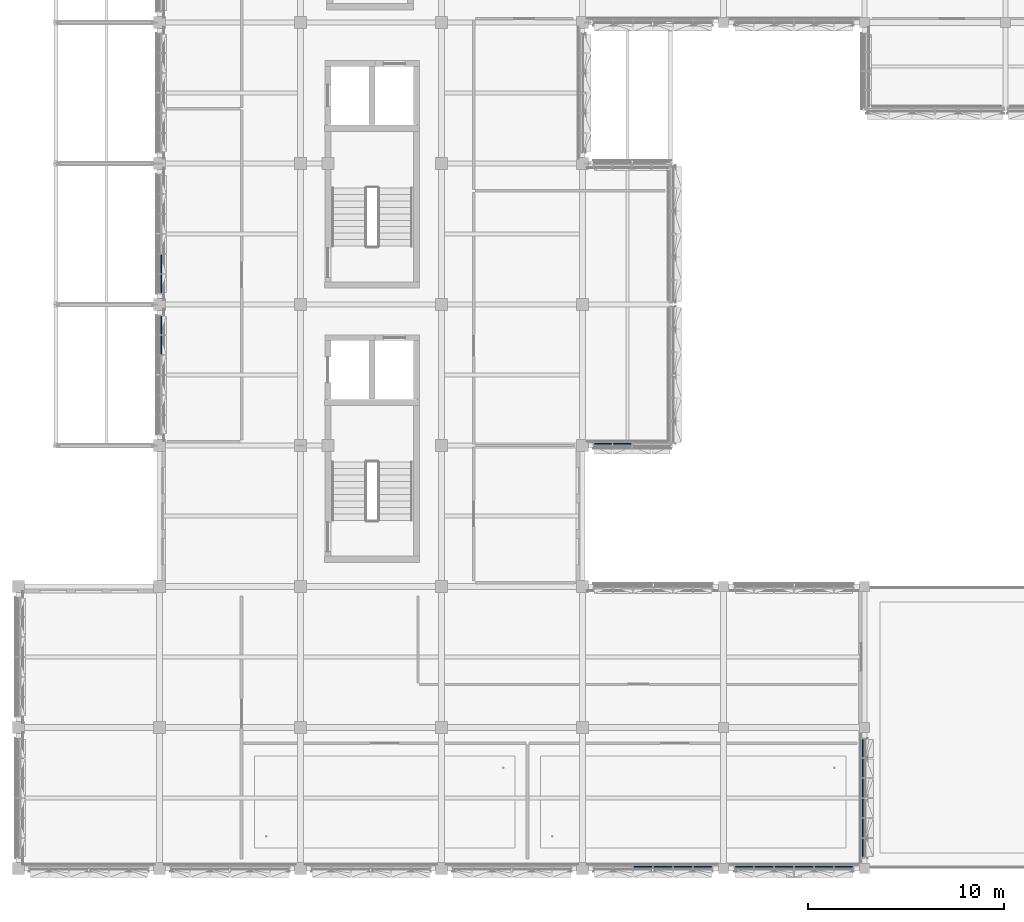
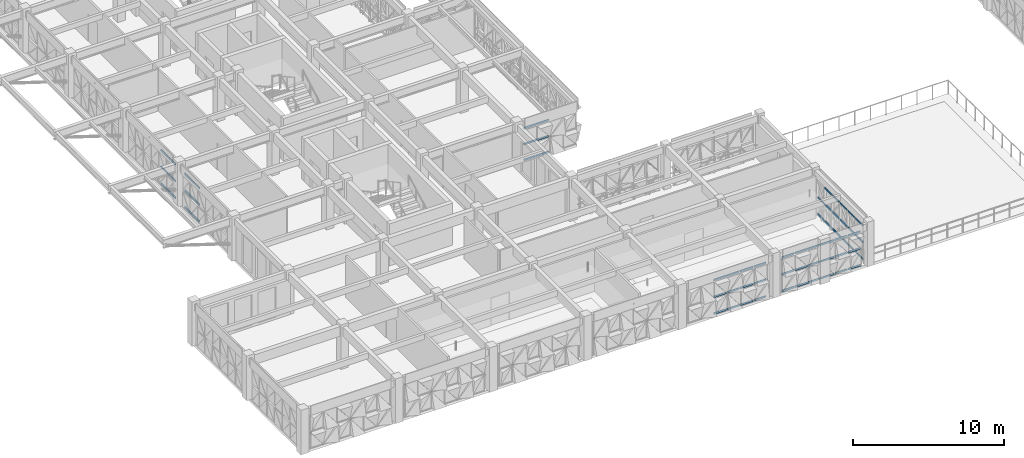
# One storey, part 20 of 99: 65 members, 6 elements without a shape of their own.
"""IFC4 building model written with IfcOpenShell, lengths in metres."""

import ifcopenshell
import ifcopenshell.guid

model = None  # the IFC model being written
_history = None  # IfcOwnerHistory: only IFC2X3 demands one
_inside = {}  # id of a spatial element -> (the spatial element, [elements in it])
_under = {}  # id of a project, library or spatial element -> (it, [spatial elements below it])
_declared = {}  # id of a project -> (the project, [libraries it declares])
_typed = {}  # id of a type object -> (the type object, [elements of that type])
_made_of = {}  # id of a material, layer set ... -> (it, [elements and type objects made of it])


def new_model(schema):
    """Start an empty IFC model of exactly this schema.

    Asked for "IFC4X3", IfcOpenShell would pick the latest addendum, in which some entities
    have other attributes; the version numbers below select the first issue.
    IFC2X3 requires an IfcOwnerHistory on every rooted entity: one is made here for all.
    """
    global model, _history
    if schema == "IFC4X3":
        model = ifcopenshell.file(schema_version=(4, 3, 0, 0))
    else:
        model = ifcopenshell.file(schema=schema)
    _inside.clear()
    _under.clear()
    _declared.clear()
    _typed.clear()
    _made_of.clear()
    _history = None
    if model.schema == "IFC2X3":
        org = make("IfcOrganization", Name="unknown")
        user = make(
            "IfcPersonAndOrganization",
            ThePerson=make("IfcPerson", FamilyName="unknown"),
            TheOrganization=org,
        )
        app = make(
            "IfcApplication",
            ApplicationDeveloper=org,
            Version="unknown",
            ApplicationFullName="unknown",
            ApplicationIdentifier="unknown",
        )
        _history = make(
            "IfcOwnerHistory",
            OwningUser=user,
            OwningApplication=app,
            ChangeAction="ADDED",
            CreationDate=0,
        )
    return model


def make(cls, **values):
    """One entity of the class cls with the attributes given. An attribute that is None is left unset."""
    return model.create_entity(
        cls, **{name: value for name, value in values.items() if value is not None}
    )


def rooted(cls, **values):
    """An entity with a GlobalId (a new one), such as an element, a storey or a relation."""
    return make(cls, GlobalId=ifcopenshell.guid.new(), OwnerHistory=_history, **values)


def si_unit(unit_type, name, prefix=None):
    """IfcSIUnit, for example si_unit("LENGTHUNIT", "METRE", prefix="MILLI")."""
    return make("IfcSIUnit", UnitType=unit_type, Prefix=prefix, Name=name)


def assignment(units):
    """IfcUnitAssignment: the units of a project."""
    return None if units is None else make("IfcUnitAssignment", Units=units)


def point(xyz):
    """IfcCartesianPoint."""
    return None if xyz is None else make("IfcCartesianPoint", Coordinates=xyz)


def direction(xyz):
    """IfcDirection."""
    return None if xyz is None else make("IfcDirection", DirectionRatios=xyz)


def frame(location, z_axis=None, x_axis=None):
    """IfcAxis2Placement3D, a coordinate frame: its origin and axes. An axis left out is left unset."""
    return make(
        "IfcAxis2Placement3D",
        Location=point(location),
        Axis=direction(z_axis),
        RefDirection=direction(x_axis),
    )


def frame_2d(location, x_axis=None):
    """IfcAxis2Placement2D, a coordinate frame in the plane: its origin and x axis."""
    return make(
        "IfcAxis2Placement2D", Location=point(location), RefDirection=direction(x_axis)
    )


def origin():
    """The frame at (0, 0, 0) with its axes left unset."""
    return frame((0.0, 0.0, 0.0))


def origin_2d():
    """The frame at (0, 0) in the plane with its x axis left unset."""
    return frame_2d((0.0, 0.0))


def place(relative_to, where):
    """IfcLocalPlacement: puts the frame where relative to a parent placement (None: the world)."""
    return make(
        "IfcLocalPlacement", PlacementRelTo=relative_to, RelativePlacement=where
    )


def context(
    kind, dimensions, precision=None, world=None, true_north=None, identifier=None
):
    """IfcGeometricRepresentationContext, for example the 3D "Model" context."""
    return make(
        "IfcGeometricRepresentationContext",
        ContextIdentifier=identifier,
        ContextType=kind,
        CoordinateSpaceDimension=dimensions,
        Precision=precision,
        WorldCoordinateSystem=world,
        TrueNorth=true_north,
    )


def subcontext(parent, identifier, kind, view, scale=None):
    """IfcGeometricRepresentationSubContext, for example "Body" below "Model"."""
    return make(
        "IfcGeometricRepresentationSubContext",
        ContextIdentifier=identifier,
        ContextType=kind,
        ParentContext=parent,
        TargetScale=scale,
        TargetView=view,
    )


def project(units=None, contexts=None):
    """IfcProject with its units and contexts."""
    return rooted(
        "IfcProject",
        Name="project",
        RepresentationContexts=contexts,
        UnitsInContext=assignment(units),
    )


def spatial(cls, under=None, at=None, **own):
    """A site, building, storey or space (cls), placed at a placement, below another one or the project."""
    s = rooted(cls, ObjectPlacement=at, **own)
    if under is not None:
        _under.setdefault(under.id(), (under, []))[1].append(s)
    return s


def profile(cls, at=None, kind="AREA", **sizes):
    """A parametric profile (cls). Its sizes go by their IFC names, for example OverallWidth=200.0."""
    return make(cls, ProfileType=kind, Position=at, **sizes)


def rectangle(**sizes):
    """IfcRectangleProfileDef."""
    return profile("IfcRectangleProfileDef", **sizes)


def extrude(swept, where, along, depth):
    """IfcExtrudedAreaSolid: the profile swept, set in the frame where, extruded along a direction by depth."""
    return make(
        "IfcExtrudedAreaSolid",
        SweptArea=swept,
        Position=where,
        ExtrudedDirection=direction(along),
        Depth=depth,
    )


def shape(context_of_items, identifier, shape_type, items):
    """IfcShapeRepresentation: the items that make up one representation, for example the "Body"."""
    return make(
        "IfcShapeRepresentation",
        ContextOfItems=context_of_items,
        RepresentationIdentifier=identifier,
        RepresentationType=shape_type,
        Items=items,
    )


def material(Name=None, Category=None):
    """IfcMaterial."""
    return make("IfcMaterial", Name=Name, Category=Category)


def material_profile(
    of_material, cross_section, Name=None, Category=None, Priority=None
):
    """IfcMaterialProfile: a cross section and its material."""
    return make(
        "IfcMaterialProfile",
        Name=Name,
        Material=of_material,
        Profile=cross_section,
        Priority=Priority,
        Category=Category,
    )


def profile_set(profiles, Name=None, composite=None):
    """IfcMaterialProfileSet."""
    return make(
        "IfcMaterialProfileSet",
        Name=Name,
        MaterialProfiles=profiles,
        CompositeProfile=composite,
    )


def made_of(thing, what):
    """Note that an element or type object is made of a material, layer set ...; save() writes the relation."""
    if what is not None:
        _made_of.setdefault(what.id(), (what, []))[1].append(thing)
    return thing


def type_object(cls, material=None, **own):
    """A type object (cls), such as IfcWallType, which elements share."""
    return made_of(rooted(cls, **own), material)


def element(
    cls,
    number,
    at=None,
    inside=None,
    cuts=None,
    type_object=None,
    material=None,
    context=None,
    identifier="Body",
    shape_type=None,
    held_by="IfcProductDefinitionShape",
    body=None,
    shapes=None,
    **own,
):
    """One element of the class cls, such as IfcWall. Its Tag is "e" and its number.

    at: its placement. inside: the storey or other place that contains it. cuts: it is an
    opening in that element (IfcRelVoidsElement). A single representation is given by context,
    identifier, shape_type and body (its items); several are given by shapes. held_by: the class
    of the entity that holds the representations. save() writes the other relations.
    """
    e = rooted(cls, Tag="e%d" % number, ObjectPlacement=at, **own)
    if body is not None:
        shapes = [shape(context, identifier, shape_type, body)]
    if shapes is not None:
        e.Representation = make(held_by, Representations=shapes)
    if inside is not None:
        _inside.setdefault(inside.id(), (inside, []))[1].append(e)
    if cuts is not None:
        rooted(
            "IfcRelVoidsElement", RelatingBuildingElement=cuts, RelatedOpeningElement=e
        )
    if type_object is not None:
        _typed.setdefault(type_object.id(), (type_object, []))[1].append(e)
    return made_of(e, material)


def aggregate(whole, parts):
    """IfcRelAggregates: a whole, such as a stair, and the parts it consists of."""
    return rooted("IfcRelAggregates", RelatingObject=whole, RelatedObjects=parts)


def save(model, path):
    """Write the relations noted so far, then the file.

    IfcRelAggregates (storeys below a building ...), IfcRelContainedInSpatialStructure (elements
    in a storey), IfcRelDefinesByType, IfcRelAssociatesMaterial and IfcRelDeclares: one each for
    every whole, place, type object, material and project.
    """
    for whole, parts in _under.values():
        aggregate(whole, parts)
    for where, things in _inside.values():
        rooted(
            "IfcRelContainedInSpatialStructure",
            RelatedElements=things,
            RelatingStructure=where,
        )
    for kind, things in _typed.values():
        rooted("IfcRelDefinesByType", RelatedObjects=things, RelatingType=kind)
    for what, things in _made_of.values():
        rooted("IfcRelAssociatesMaterial", RelatedObjects=things, RelatingMaterial=what)
    for by, libraries in _declared.values():
        rooted("IfcRelDeclares", RelatingContext=by, RelatedDefinitions=libraries)
    model.write(path)


model = new_model("IFC4")

# Units and contexts
model_context = context("Model", 3, precision=1e-05, world=origin(), true_north=direction((0.0, 1.0)))
body_context = subcontext(model_context, "Body", "Model", "MODEL_VIEW")
ifc_project = project(units=[si_unit("LENGTHUNIT", "METRE"), si_unit("AREAUNIT", "SQUARE_METRE"), si_unit("VOLUMEUNIT", "CUBIC_METRE"), si_unit("PLANEANGLEUNIT", "RADIAN"), si_unit("MASSUNIT", "GRAM", prefix="KILO")], contexts=[model_context])

# Site, building, storey
site_placement = place(None, origin())
site = spatial("IfcSite", under=ifc_project, at=site_placement, CompositionType="ELEMENT")
building_placement = place(site_placement, origin())
building = spatial("IfcBuilding", under=site, at=building_placement, Name="Alvorim Cloister Faculty of Sciences", CompositionType="ELEMENT")
storey_placement = place(building_placement, frame((0.0, 0.0, 12.14990234375)))
storey = spatial("IfcBuildingStorey", under=building, at=storey_placement, Name="L03", CompositionType="ELEMENT", Elevation=12.14990234375)

# Curtain wall, members
ifc_material_1 = material(Name="Aluminium and Low-E Glass Curtain Wall", Category="aluminium")
curtain_wall_type_1 = type_object("IfcCurtainWallType", Name="CW-TRI-6120x2850", PredefinedType="USERDEFINED", material=ifc_material_1)
curtain_wall_1_placement = place(storey_placement, origin())
curtain_wall_1 = element("IfcCurtainWall", 1, at=curtain_wall_1_placement, inside=storey, type_object=curtain_wall_type_1, Name="L03 Diagonal Cassette Curtain Wall CW-0100", ObjectType="UNITISED CURTAIN WALL", PredefinedType="USERDEFINED")
ifc_material_2 = material(Name="Aluminium Alloy 6063-T6", Category="aluminium")
ifc_material_profile = material_profile(ifc_material_2, rectangle(XDim=0.06494140625, YDim=0.139892578125, at=origin_2d()), Name="ALU-TRN-65x140")
ifc_profile_set = profile_set([ifc_material_profile], Name="Aluminium Alloy 6063-T6")
member_type = type_object("IfcMemberType", Name="CW-TRN-65x140", PredefinedType="USERDEFINED", material=ifc_profile_set)
member_1_placement = place(storey_placement, frame((7.2900390625, 26.25244140625, 0.070068359375), z_axis=(0.0, 1.0, 0.0), x_axis=(-1.0, 0.0, 0.0)))
member_1 = element("IfcMember", 2, at=member_1_placement, type_object=member_type, Name="CW-0100 Transom 5.1", ObjectType="TRANSOM", PredefinedType="USERDEFINED", context=body_context, shape_type="SweptSolid", body=[
    extrude(rectangle(XDim=0.06494140625, YDim=0.139892578125, at=origin_2d()), origin(), (0.0, 0.0, 1.0), 0.955078125),
])
member_2_placement = place(storey_placement, frame((7.2900390625, 26.25244140625, 1.425048828125), z_axis=(0.0, 1.0, 0.0), x_axis=(-1.0, 0.0, 0.0)))
member_2 = element("IfcMember", 3, at=member_2_placement, type_object=member_type, Name="CW-0100 Transom 5.2", ObjectType="TRANSOM", PredefinedType="USERDEFINED", context=body_context, shape_type="SweptSolid", body=[
    extrude(rectangle(XDim=0.06494140625, YDim=0.139892578125, at=origin_2d()), origin(), (0.0, 0.0, 1.0), 0.955078125),
])
member_3_placement = place(storey_placement, frame((7.2900390625, 26.25244140625, 2.780029296875), z_axis=(0.0, 1.0, 0.0), x_axis=(-1.0, 0.0, 0.0)))
member_3 = element("IfcMember", 4, at=member_3_placement, type_object=member_type, Name="CW-0100 Transom 5.3", ObjectType="TRANSOM", PredefinedType="USERDEFINED", context=body_context, shape_type="SweptSolid", body=[
    extrude(rectangle(XDim=0.06494140625, YDim=0.139892578125, at=origin_2d()), origin(), (0.0, 0.0, 1.0), 0.955078125),
])
member_4_placement = place(storey_placement, frame((7.2900390625, 27.2724609375, 0.070068359375), z_axis=(0.0, 1.0, 0.0), x_axis=(-1.0, 0.0, 0.0)))
member_4 = element("IfcMember", 5, at=member_4_placement, type_object=member_type, Name="CW-0100 Transom 6.1", ObjectType="TRANSOM", PredefinedType="USERDEFINED", context=body_context, shape_type="SweptSolid", body=[
    extrude(rectangle(XDim=0.06494140625, YDim=0.139892578125, at=origin_2d()), origin(), (0.0, 0.0, 1.0), 0.922607421875),
])
member_5_placement = place(storey_placement, frame((7.2900390625, 27.2724609375, 1.425048828125), z_axis=(0.0, 1.0, 0.0), x_axis=(-1.0, 0.0, 0.0)))
member_5 = element("IfcMember", 6, at=member_5_placement, type_object=member_type, Name="CW-0100 Transom 6.2", ObjectType="TRANSOM", PredefinedType="USERDEFINED", context=body_context, shape_type="SweptSolid", body=[
    extrude(rectangle(XDim=0.06494140625, YDim=0.139892578125, at=origin_2d()), origin(), (0.0, 0.0, 1.0), 0.922607421875),
])
member_6_placement = place(storey_placement, frame((7.2900390625, 27.2724609375, 2.780029296875), z_axis=(0.0, 1.0, 0.0), x_axis=(-1.0, 0.0, 0.0)))
member_6 = element("IfcMember", 7, at=member_6_placement, type_object=member_type, Name="CW-0100 Transom 6.3", ObjectType="TRANSOM", PredefinedType="USERDEFINED", context=body_context, shape_type="SweptSolid", body=[
    extrude(rectangle(XDim=0.06494140625, YDim=0.139892578125, at=origin_2d()), origin(), (0.0, 0.0, 1.0), 0.922607421875),
])
aggregate(curtain_wall_1, [member_1, member_2, member_3, member_4, member_5, member_6])

curtain_wall_2_placement = place(storey_placement, origin())
curtain_wall_2 = element("IfcCurtainWall", 8, at=curtain_wall_2_placement, inside=storey, type_object=curtain_wall_type_1, Name="L03 Diagonal Cassette Curtain Wall CW-0101", ObjectType="UNITISED CURTAIN WALL", PredefinedType="USERDEFINED")
member_7_placement = place(storey_placement, frame((7.2900390625, 29.405029296875, 0.070068359375), z_axis=(0.0, 1.0, 0.0), x_axis=(-1.0, 0.0, 0.0)))
member_7 = element("IfcMember", 9, at=member_7_placement, type_object=member_type, Name="CW-0101 Transom 1.1", ObjectType="TRANSOM", PredefinedType="USERDEFINED", context=body_context, shape_type="SweptSolid", body=[
    extrude(rectangle(XDim=0.06494140625, YDim=0.139892578125, at=origin_2d()), origin(), (0.0, 0.0, 1.0), 0.92236328125),
])
member_8_placement = place(storey_placement, frame((7.2900390625, 29.405029296875, 1.425048828125), z_axis=(0.0, 1.0, 0.0), x_axis=(-1.0, 0.0, 0.0)))
member_8 = element("IfcMember", 10, at=member_8_placement, type_object=member_type, Name="CW-0101 Transom 1.2", ObjectType="TRANSOM", PredefinedType="USERDEFINED", context=body_context, shape_type="SweptSolid", body=[
    extrude(rectangle(XDim=0.06494140625, YDim=0.139892578125, at=origin_2d()), origin(), (0.0, 0.0, 1.0), 0.92236328125),
])
member_9_placement = place(storey_placement, frame((7.2900390625, 29.405029296875, 2.780029296875), z_axis=(0.0, 1.0, 0.0), x_axis=(-1.0, 0.0, 0.0)))
member_9 = element("IfcMember", 11, at=member_9_placement, type_object=member_type, Name="CW-0101 Transom 1.3", ObjectType="TRANSOM", PredefinedType="USERDEFINED", context=body_context, shape_type="SweptSolid", body=[
    extrude(rectangle(XDim=0.06494140625, YDim=0.139892578125, at=origin_2d()), origin(), (0.0, 0.0, 1.0), 0.92236328125),
])
member_10_placement = place(storey_placement, frame((7.2900390625, 30.392578125, 0.070068359375), z_axis=(0.0, 1.0, 0.0), x_axis=(-1.0, 0.0, 0.0)))
member_10 = element("IfcMember", 12, at=member_10_placement, type_object=member_type, Name="CW-0101 Transom 2.1", ObjectType="TRANSOM", PredefinedType="USERDEFINED", context=body_context, shape_type="SweptSolid", body=[
    extrude(rectangle(XDim=0.06494140625, YDim=0.139892578125, at=origin_2d()), origin(), (0.0, 0.0, 1.0), 0.954833984375),
])
member_11_placement = place(storey_placement, frame((7.2900390625, 30.392578125, 1.425048828125), z_axis=(0.0, 1.0, 0.0), x_axis=(-1.0, 0.0, 0.0)))
member_11 = element("IfcMember", 13, at=member_11_placement, type_object=member_type, Name="CW-0101 Transom 2.2", ObjectType="TRANSOM", PredefinedType="USERDEFINED", context=body_context, shape_type="SweptSolid", body=[
    extrude(rectangle(XDim=0.06494140625, YDim=0.139892578125, at=origin_2d()), origin(), (0.0, 0.0, 1.0), 0.954833984375),
])
member_12_placement = place(storey_placement, frame((7.2900390625, 30.392578125, 2.780029296875), z_axis=(0.0, 1.0, 0.0), x_axis=(-1.0, 0.0, 0.0)))
member_12 = element("IfcMember", 14, at=member_12_placement, type_object=member_type, Name="CW-0101 Transom 2.3", ObjectType="TRANSOM", PredefinedType="USERDEFINED", context=body_context, shape_type="SweptSolid", body=[
    extrude(rectangle(XDim=0.06494140625, YDim=0.139892578125, at=origin_2d()), origin(), (0.0, 0.0, 1.0), 0.954833984375),
])
aggregate(curtain_wall_2, [member_7, member_8, member_9, member_10, member_11, member_12])

curtain_wall_type_2 = type_object("IfcCurtainWallType", Name="CW-TRI-3980x2706", PredefinedType="USERDEFINED", material=ifc_material_1)
curtain_wall_3_placement = place(storey_placement, origin())
curtain_wall_3 = element("IfcCurtainWall", 15, at=curtain_wall_3_placement, inside=storey, type_object=curtain_wall_type_2, Name="L03 Diagonal Cassette Curtain Wall CW-0143", ObjectType="UNITISED CURTAIN WALL", PredefinedType="USERDEFINED")
member_13_placement = place(storey_placement, frame((29.405029296875, 21.68994140625, 0.070068359375), z_axis=(1.0, 0.0, 0.0), x_axis=(0.0, 1.0, 0.0)))
member_13 = element("IfcMember", 16, at=member_13_placement, type_object=member_type, Name="CW-0143 Transom 1.1", ObjectType="TRANSOM", PredefinedType="USERDEFINED", context=body_context, shape_type="SweptSolid", body=[
    extrude(rectangle(XDim=0.06494140625, YDim=0.139892578125, at=origin_2d()), origin(), (0.0, 0.0, 1.0), 0.8974609375),
])
member_14_placement = place(storey_placement, frame((29.405029296875, 21.68994140625, 1.35302734375), z_axis=(1.0, 0.0, 0.0), x_axis=(0.0, 1.0, 0.0)))
member_14 = element("IfcMember", 17, at=member_14_placement, type_object=member_type, Name="CW-0143 Transom 1.2", ObjectType="TRANSOM", PredefinedType="USERDEFINED", context=body_context, shape_type="SweptSolid", body=[
    extrude(rectangle(XDim=0.06494140625, YDim=0.139892578125, at=origin_2d()), origin(), (0.0, 0.0, 1.0), 0.8974609375),
])
member_15_placement = place(storey_placement, frame((29.405029296875, 21.68994140625, 2.635986328125), z_axis=(1.0, 0.0, 0.0), x_axis=(0.0, 1.0, 0.0)))
member_15 = element("IfcMember", 18, at=member_15_placement, type_object=member_type, Name="CW-0143 Transom 1.3", ObjectType="TRANSOM", PredefinedType="USERDEFINED", context=body_context, shape_type="SweptSolid", body=[
    extrude(rectangle(XDim=0.06494140625, YDim=0.139892578125, at=origin_2d()), origin(), (0.0, 0.0, 1.0), 0.8974609375),
])
member_16_placement = place(storey_placement, frame((30.367431640625, 21.68994140625, 0.070068359375), z_axis=(1.0, 0.0, 0.0), x_axis=(0.0, 1.0, 0.0)))
member_16 = element("IfcMember", 19, at=member_16_placement, type_object=member_type, Name="CW-0143 Transom 2.1", ObjectType="TRANSOM", PredefinedType="USERDEFINED", context=body_context, shape_type="SweptSolid", body=[
    extrude(rectangle(XDim=0.06494140625, YDim=0.139892578125, at=origin_2d()), origin(), (0.0, 0.0, 1.0), 0.93017578125),
])
member_17_placement = place(storey_placement, frame((30.367431640625, 21.68994140625, 1.35302734375), z_axis=(1.0, 0.0, 0.0), x_axis=(0.0, 1.0, 0.0)))
member_17 = element("IfcMember", 20, at=member_17_placement, type_object=member_type, Name="CW-0143 Transom 2.2", ObjectType="TRANSOM", PredefinedType="USERDEFINED", context=body_context, shape_type="SweptSolid", body=[
    extrude(rectangle(XDim=0.06494140625, YDim=0.139892578125, at=origin_2d()), origin(), (0.0, 0.0, 1.0), 0.93017578125),
])
member_18_placement = place(storey_placement, frame((30.367431640625, 21.68994140625, 2.635986328125), z_axis=(1.0, 0.0, 0.0), x_axis=(0.0, 1.0, 0.0)))
member_18 = element("IfcMember", 21, at=member_18_placement, type_object=member_type, Name="CW-0143 Transom 2.3", ObjectType="TRANSOM", PredefinedType="USERDEFINED", context=body_context, shape_type="SweptSolid", body=[
    extrude(rectangle(XDim=0.06494140625, YDim=0.139892578125, at=origin_2d()), origin(), (0.0, 0.0, 1.0), 0.93017578125),
])
aggregate(curtain_wall_3, [member_13, member_14, member_15, member_16, member_17, member_18])

curtain_wall_4_placement = place(storey_placement, origin())
curtain_wall_4 = element("IfcCurtainWall", 22, at=curtain_wall_4_placement, inside=storey, type_object=curtain_wall_type_1, Name="L03 Diagonal Cassette Curtain Wall CW-0146", ObjectType="UNITISED CURTAIN WALL", PredefinedType="USERDEFINED")
member_19_placement = place(storey_placement, frame((43.110107421875, 0.60498046875, 0.070068359375), z_axis=(0.0, 1.0, 0.0), x_axis=(-1.0, 0.0, 0.0)))
member_19 = element("IfcMember", 23, at=member_19_placement, type_object=member_type, Name="CW-0146 Transom 1.1", ObjectType="TRANSOM", PredefinedType="USERDEFINED", context=body_context, shape_type="SweptSolid", body=[
    extrude(rectangle(XDim=0.06494140625, YDim=0.139892578125, at=origin_2d()), origin(), (0.0, 0.0, 1.0), 0.922607421875),
])
member_20_placement = place(storey_placement, frame((43.110107421875, 0.60498046875, 1.425048828125), z_axis=(0.0, 1.0, 0.0), x_axis=(-1.0, 0.0, 0.0)))
member_20 = element("IfcMember", 24, at=member_20_placement, type_object=member_type, Name="CW-0146 Transom 1.2", ObjectType="TRANSOM", PredefinedType="USERDEFINED", context=body_context, shape_type="SweptSolid", body=[
    extrude(rectangle(XDim=0.06494140625, YDim=0.139892578125, at=origin_2d()), origin(), (0.0, 0.0, 1.0), 0.922607421875),
])
member_21_placement = place(storey_placement, frame((43.110107421875, 0.60498046875, 2.780029296875), z_axis=(0.0, 1.0, 0.0), x_axis=(-1.0, 0.0, 0.0)))
member_21 = element("IfcMember", 25, at=member_21_placement, type_object=member_type, Name="CW-0146 Transom 1.3", ObjectType="TRANSOM", PredefinedType="USERDEFINED", context=body_context, shape_type="SweptSolid", body=[
    extrude(rectangle(XDim=0.06494140625, YDim=0.139892578125, at=origin_2d()), origin(), (0.0, 0.0, 1.0), 0.922607421875),
])
member_22_placement = place(storey_placement, frame((43.110107421875, 1.592529296875, 0.070068359375), z_axis=(0.0, 1.0, 0.0), x_axis=(-1.0, 0.0, 0.0)))
member_22 = element("IfcMember", 26, at=member_22_placement, type_object=member_type, Name="CW-0146 Transom 2.1", ObjectType="TRANSOM", PredefinedType="USERDEFINED", context=body_context, shape_type="SweptSolid", body=[
    extrude(rectangle(XDim=0.06494140625, YDim=0.139892578125, at=origin_2d()), origin(), (0.0, 0.0, 1.0), 0.955078125),
])
member_23_placement = place(storey_placement, frame((43.110107421875, 1.592529296875, 1.425048828125), z_axis=(0.0, 1.0, 0.0), x_axis=(-1.0, 0.0, 0.0)))
member_23 = element("IfcMember", 27, at=member_23_placement, type_object=member_type, Name="CW-0146 Transom 2.2", ObjectType="TRANSOM", PredefinedType="USERDEFINED", context=body_context, shape_type="SweptSolid", body=[
    extrude(rectangle(XDim=0.06494140625, YDim=0.139892578125, at=origin_2d()), origin(), (0.0, 0.0, 1.0), 0.955078125),
])
member_24_placement = place(storey_placement, frame((43.110107421875, 1.592529296875, 2.780029296875), z_axis=(0.0, 1.0, 0.0), x_axis=(-1.0, 0.0, 0.0)))
member_24 = element("IfcMember", 28, at=member_24_placement, type_object=member_type, Name="CW-0146 Transom 2.3", ObjectType="TRANSOM", PredefinedType="USERDEFINED", context=body_context, shape_type="SweptSolid", body=[
    extrude(rectangle(XDim=0.06494140625, YDim=0.139892578125, at=origin_2d()), origin(), (0.0, 0.0, 1.0), 0.955078125),
])
member_25_placement = place(storey_placement, frame((43.110107421875, 2.612548828125, 0.070068359375), z_axis=(0.0, 1.0, 0.0), x_axis=(-1.0, 0.0, 0.0)))
member_25 = element("IfcMember", 29, at=member_25_placement, type_object=member_type, Name="CW-0146 Transom 3.1", ObjectType="TRANSOM", PredefinedType="USERDEFINED", context=body_context, shape_type="SweptSolid", body=[
    extrude(rectangle(XDim=0.06494140625, YDim=0.139892578125, at=origin_2d()), origin(), (0.0, 0.0, 1.0), 0.954833984375),
])
member_26_placement = place(storey_placement, frame((43.110107421875, 2.612548828125, 1.425048828125), z_axis=(0.0, 1.0, 0.0), x_axis=(-1.0, 0.0, 0.0)))
member_26 = element("IfcMember", 30, at=member_26_placement, type_object=member_type, Name="CW-0146 Transom 3.2", ObjectType="TRANSOM", PredefinedType="USERDEFINED", context=body_context, shape_type="SweptSolid", body=[
    extrude(rectangle(XDim=0.06494140625, YDim=0.139892578125, at=origin_2d()), origin(), (0.0, 0.0, 1.0), 0.954833984375),
])
member_27_placement = place(storey_placement, frame((43.110107421875, 2.612548828125, 2.780029296875), z_axis=(0.0, 1.0, 0.0), x_axis=(-1.0, 0.0, 0.0)))
member_27 = element("IfcMember", 31, at=member_27_placement, type_object=member_type, Name="CW-0146 Transom 3.3", ObjectType="TRANSOM", PredefinedType="USERDEFINED", context=body_context, shape_type="SweptSolid", body=[
    extrude(rectangle(XDim=0.06494140625, YDim=0.139892578125, at=origin_2d()), origin(), (0.0, 0.0, 1.0), 0.954833984375),
])
member_28_placement = place(storey_placement, frame((43.110107421875, 3.632568359375, 0.070068359375), z_axis=(0.0, 1.0, 0.0), x_axis=(-1.0, 0.0, 0.0)))
member_28 = element("IfcMember", 32, at=member_28_placement, type_object=member_type, Name="CW-0146 Transom 4.1", ObjectType="TRANSOM", PredefinedType="USERDEFINED", context=body_context, shape_type="SweptSolid", body=[
    extrude(rectangle(XDim=0.06494140625, YDim=0.139892578125, at=origin_2d()), origin(), (0.0, 0.0, 1.0), 0.954833984375),
])
member_29_placement = place(storey_placement, frame((43.110107421875, 3.632568359375, 1.425048828125), z_axis=(0.0, 1.0, 0.0), x_axis=(-1.0, 0.0, 0.0)))
member_29 = element("IfcMember", 33, at=member_29_placement, type_object=member_type, Name="CW-0146 Transom 4.2", ObjectType="TRANSOM", PredefinedType="USERDEFINED", context=body_context, shape_type="SweptSolid", body=[
    extrude(rectangle(XDim=0.06494140625, YDim=0.139892578125, at=origin_2d()), origin(), (0.0, 0.0, 1.0), 0.954833984375),
])
member_30_placement = place(storey_placement, frame((43.110107421875, 3.632568359375, 2.780029296875), z_axis=(0.0, 1.0, 0.0), x_axis=(-1.0, 0.0, 0.0)))
member_30 = element("IfcMember", 34, at=member_30_placement, type_object=member_type, Name="CW-0146 Transom 4.3", ObjectType="TRANSOM", PredefinedType="USERDEFINED", context=body_context, shape_type="SweptSolid", body=[
    extrude(rectangle(XDim=0.06494140625, YDim=0.139892578125, at=origin_2d()), origin(), (0.0, 0.0, 1.0), 0.954833984375),
])
member_31_placement = place(storey_placement, frame((43.110107421875, 4.652587890625, 0.070068359375), z_axis=(0.0, 1.0, 0.0), x_axis=(-1.0, 0.0, 0.0)))
member_31 = element("IfcMember", 35, at=member_31_placement, type_object=member_type, Name="CW-0146 Transom 5.1", ObjectType="TRANSOM", PredefinedType="USERDEFINED", context=body_context, shape_type="SweptSolid", body=[
    extrude(rectangle(XDim=0.06494140625, YDim=0.139892578125, at=origin_2d()), origin(), (0.0, 0.0, 1.0), 0.954833984375),
])
member_32_placement = place(storey_placement, frame((43.110107421875, 4.652587890625, 1.425048828125), z_axis=(0.0, 1.0, 0.0), x_axis=(-1.0, 0.0, 0.0)))
member_32 = element("IfcMember", 36, at=member_32_placement, type_object=member_type, Name="CW-0146 Transom 5.2", ObjectType="TRANSOM", PredefinedType="USERDEFINED", context=body_context, shape_type="SweptSolid", body=[
    extrude(rectangle(XDim=0.06494140625, YDim=0.139892578125, at=origin_2d()), origin(), (0.0, 0.0, 1.0), 0.954833984375),
])
member_33_placement = place(storey_placement, frame((43.110107421875, 4.652587890625, 2.780029296875), z_axis=(0.0, 1.0, 0.0), x_axis=(-1.0, 0.0, 0.0)))
member_33 = element("IfcMember", 37, at=member_33_placement, type_object=member_type, Name="CW-0146 Transom 5.3", ObjectType="TRANSOM", PredefinedType="USERDEFINED", context=body_context, shape_type="SweptSolid", body=[
    extrude(rectangle(XDim=0.06494140625, YDim=0.139892578125, at=origin_2d()), origin(), (0.0, 0.0, 1.0), 0.954833984375),
])
member_34_placement = place(storey_placement, frame((43.110107421875, 5.672607421875, 0.070068359375), z_axis=(0.0, 1.0, 0.0), x_axis=(-1.0, 0.0, 0.0)))
member_34 = element("IfcMember", 38, at=member_34_placement, type_object=member_type, Name="CW-0146 Transom 6.1", ObjectType="TRANSOM", PredefinedType="USERDEFINED", context=body_context, shape_type="SweptSolid", body=[
    extrude(rectangle(XDim=0.06494140625, YDim=0.139892578125, at=origin_2d()), origin(), (0.0, 0.0, 1.0), 0.92236328125),
])
member_35_placement = place(storey_placement, frame((43.110107421875, 5.672607421875, 1.425048828125), z_axis=(0.0, 1.0, 0.0), x_axis=(-1.0, 0.0, 0.0)))
member_35 = element("IfcMember", 39, at=member_35_placement, type_object=member_type, Name="CW-0146 Transom 6.2", ObjectType="TRANSOM", PredefinedType="USERDEFINED", context=body_context, shape_type="SweptSolid", body=[
    extrude(rectangle(XDim=0.06494140625, YDim=0.139892578125, at=origin_2d()), origin(), (0.0, 0.0, 1.0), 0.92236328125),
])
aggregate(curtain_wall_4, [member_19, member_20, member_21, member_22, member_23, member_24, member_25, member_26, member_27, member_28, member_29, member_30, member_31, member_32, member_33, member_34, member_35])

curtain_wall_5_placement = place(storey_placement, origin())
curtain_wall_5 = element("IfcCurtainWall", 40, at=curtain_wall_5_placement, inside=storey, type_object=curtain_wall_type_1, Name="L03 Diagonal Cassette Curtain Wall CW-0147", ObjectType="UNITISED CURTAIN WALL", PredefinedType="USERDEFINED")
member_36_placement = place(storey_placement, frame((36.60498046875, 0.090087890625, 0.070068359375), z_axis=(1.0, 0.0, 0.0), x_axis=(0.0, 1.0, 0.0)))
member_36 = element("IfcMember", 41, at=member_36_placement, type_object=member_type, Name="CW-0147 Transom 1.1", ObjectType="TRANSOM", PredefinedType="USERDEFINED", context=body_context, shape_type="SweptSolid", body=[
    extrude(rectangle(XDim=0.06494140625, YDim=0.139892578125, at=origin_2d()), origin(), (0.0, 0.0, 1.0), 0.922607421875),
])
member_37_placement = place(storey_placement, frame((36.60498046875, 0.090087890625, 1.425048828125), z_axis=(1.0, 0.0, 0.0), x_axis=(0.0, 1.0, 0.0)))
member_37 = element("IfcMember", 42, at=member_37_placement, type_object=member_type, Name="CW-0147 Transom 1.2", ObjectType="TRANSOM", PredefinedType="USERDEFINED", context=body_context, shape_type="SweptSolid", body=[
    extrude(rectangle(XDim=0.06494140625, YDim=0.139892578125, at=origin_2d()), origin(), (0.0, 0.0, 1.0), 0.922607421875),
])
member_38_placement = place(storey_placement, frame((36.60498046875, 0.090087890625, 2.780029296875), z_axis=(1.0, 0.0, 0.0), x_axis=(0.0, 1.0, 0.0)))
member_38 = element("IfcMember", 43, at=member_38_placement, type_object=member_type, Name="CW-0147 Transom 1.3", ObjectType="TRANSOM", PredefinedType="USERDEFINED", context=body_context, shape_type="SweptSolid", body=[
    extrude(rectangle(XDim=0.06494140625, YDim=0.139892578125, at=origin_2d()), origin(), (0.0, 0.0, 1.0), 0.922607421875),
])
member_39_placement = place(storey_placement, frame((37.592529296875, 0.090087890625, 0.070068359375), z_axis=(1.0, 0.0, 0.0), x_axis=(0.0, 1.0, 0.0)))
member_39 = element("IfcMember", 44, at=member_39_placement, type_object=member_type, Name="CW-0147 Transom 2.1", ObjectType="TRANSOM", PredefinedType="USERDEFINED", context=body_context, shape_type="SweptSolid", body=[
    extrude(rectangle(XDim=0.06494140625, YDim=0.139892578125, at=origin_2d()), origin(), (0.0, 0.0, 1.0), 0.955078125),
])
member_40_placement = place(storey_placement, frame((37.592529296875, 0.090087890625, 1.425048828125), z_axis=(1.0, 0.0, 0.0), x_axis=(0.0, 1.0, 0.0)))
member_40 = element("IfcMember", 45, at=member_40_placement, type_object=member_type, Name="CW-0147 Transom 2.2", ObjectType="TRANSOM", PredefinedType="USERDEFINED", context=body_context, shape_type="SweptSolid", body=[
    extrude(rectangle(XDim=0.06494140625, YDim=0.139892578125, at=origin_2d()), origin(), (0.0, 0.0, 1.0), 0.955078125),
])
member_41_placement = place(storey_placement, frame((37.592529296875, 0.090087890625, 2.780029296875), z_axis=(1.0, 0.0, 0.0), x_axis=(0.0, 1.0, 0.0)))
member_41 = element("IfcMember", 46, at=member_41_placement, type_object=member_type, Name="CW-0147 Transom 2.3", ObjectType="TRANSOM", PredefinedType="USERDEFINED", context=body_context, shape_type="SweptSolid", body=[
    extrude(rectangle(XDim=0.06494140625, YDim=0.139892578125, at=origin_2d()), origin(), (0.0, 0.0, 1.0), 0.955078125),
])
member_42_placement = place(storey_placement, frame((38.612548828125, 0.090087890625, 0.070068359375), z_axis=(1.0, 0.0, 0.0), x_axis=(0.0, 1.0, 0.0)))
member_42 = element("IfcMember", 47, at=member_42_placement, type_object=member_type, Name="CW-0147 Transom 3.1", ObjectType="TRANSOM", PredefinedType="USERDEFINED", context=body_context, shape_type="SweptSolid", body=[
    extrude(rectangle(XDim=0.06494140625, YDim=0.139892578125, at=origin_2d()), origin(), (0.0, 0.0, 1.0), 0.954833984375),
])
member_43_placement = place(storey_placement, frame((38.612548828125, 0.090087890625, 1.425048828125), z_axis=(1.0, 0.0, 0.0), x_axis=(0.0, 1.0, 0.0)))
member_43 = element("IfcMember", 48, at=member_43_placement, type_object=member_type, Name="CW-0147 Transom 3.2", ObjectType="TRANSOM", PredefinedType="USERDEFINED", context=body_context, shape_type="SweptSolid", body=[
    extrude(rectangle(XDim=0.06494140625, YDim=0.139892578125, at=origin_2d()), origin(), (0.0, 0.0, 1.0), 0.954833984375),
])
member_44_placement = place(storey_placement, frame((38.612548828125, 0.090087890625, 2.780029296875), z_axis=(1.0, 0.0, 0.0), x_axis=(0.0, 1.0, 0.0)))
member_44 = element("IfcMember", 49, at=member_44_placement, type_object=member_type, Name="CW-0147 Transom 3.3", ObjectType="TRANSOM", PredefinedType="USERDEFINED", context=body_context, shape_type="SweptSolid", body=[
    extrude(rectangle(XDim=0.06494140625, YDim=0.139892578125, at=origin_2d()), origin(), (0.0, 0.0, 1.0), 0.954833984375),
])
member_45_placement = place(storey_placement, frame((39.632568359375, 0.090087890625, 0.070068359375), z_axis=(1.0, 0.0, 0.0), x_axis=(0.0, 1.0, 0.0)))
member_45 = element("IfcMember", 50, at=member_45_placement, type_object=member_type, Name="CW-0147 Transom 4.1", ObjectType="TRANSOM", PredefinedType="USERDEFINED", context=body_context, shape_type="SweptSolid", body=[
    extrude(rectangle(XDim=0.06494140625, YDim=0.139892578125, at=origin_2d()), origin(), (0.0, 0.0, 1.0), 0.954833984375),
])
member_46_placement = place(storey_placement, frame((39.632568359375, 0.090087890625, 1.425048828125), z_axis=(1.0, 0.0, 0.0), x_axis=(0.0, 1.0, 0.0)))
member_46 = element("IfcMember", 51, at=member_46_placement, type_object=member_type, Name="CW-0147 Transom 4.2", ObjectType="TRANSOM", PredefinedType="USERDEFINED", context=body_context, shape_type="SweptSolid", body=[
    extrude(rectangle(XDim=0.06494140625, YDim=0.139892578125, at=origin_2d()), origin(), (0.0, 0.0, 1.0), 0.954833984375),
])
member_47_placement = place(storey_placement, frame((39.632568359375, 0.090087890625, 2.780029296875), z_axis=(1.0, 0.0, 0.0), x_axis=(0.0, 1.0, 0.0)))
member_47 = element("IfcMember", 52, at=member_47_placement, type_object=member_type, Name="CW-0147 Transom 4.3", ObjectType="TRANSOM", PredefinedType="USERDEFINED", context=body_context, shape_type="SweptSolid", body=[
    extrude(rectangle(XDim=0.06494140625, YDim=0.139892578125, at=origin_2d()), origin(), (0.0, 0.0, 1.0), 0.954833984375),
])
member_48_placement = place(storey_placement, frame((40.652587890625, 0.090087890625, 0.070068359375), z_axis=(1.0, 0.0, 0.0), x_axis=(0.0, 1.0, 0.0)))
member_48 = element("IfcMember", 53, at=member_48_placement, type_object=member_type, Name="CW-0147 Transom 5.1", ObjectType="TRANSOM", PredefinedType="USERDEFINED", context=body_context, shape_type="SweptSolid", body=[
    extrude(rectangle(XDim=0.06494140625, YDim=0.139892578125, at=origin_2d()), origin(), (0.0, 0.0, 1.0), 0.954833984375),
])
member_49_placement = place(storey_placement, frame((40.652587890625, 0.090087890625, 1.425048828125), z_axis=(1.0, 0.0, 0.0), x_axis=(0.0, 1.0, 0.0)))
member_49 = element("IfcMember", 54, at=member_49_placement, type_object=member_type, Name="CW-0147 Transom 5.2", ObjectType="TRANSOM", PredefinedType="USERDEFINED", context=body_context, shape_type="SweptSolid", body=[
    extrude(rectangle(XDim=0.06494140625, YDim=0.139892578125, at=origin_2d()), origin(), (0.0, 0.0, 1.0), 0.954833984375),
])
member_50_placement = place(storey_placement, frame((40.652587890625, 0.090087890625, 2.780029296875), z_axis=(1.0, 0.0, 0.0), x_axis=(0.0, 1.0, 0.0)))
member_50 = element("IfcMember", 55, at=member_50_placement, type_object=member_type, Name="CW-0147 Transom 5.3", ObjectType="TRANSOM", PredefinedType="USERDEFINED", context=body_context, shape_type="SweptSolid", body=[
    extrude(rectangle(XDim=0.06494140625, YDim=0.139892578125, at=origin_2d()), origin(), (0.0, 0.0, 1.0), 0.954833984375),
])
member_51_placement = place(storey_placement, frame((41.672607421875, 0.090087890625, 0.070068359375), z_axis=(1.0, 0.0, 0.0), x_axis=(0.0, 1.0, 0.0)))
member_51 = element("IfcMember", 56, at=member_51_placement, type_object=member_type, Name="CW-0147 Transom 6.1", ObjectType="TRANSOM", PredefinedType="USERDEFINED", context=body_context, shape_type="SweptSolid", body=[
    extrude(rectangle(XDim=0.06494140625, YDim=0.139892578125, at=origin_2d()), origin(), (0.0, 0.0, 1.0), 0.92236328125),
])
member_52_placement = place(storey_placement, frame((41.672607421875, 0.090087890625, 1.425048828125), z_axis=(1.0, 0.0, 0.0), x_axis=(0.0, 1.0, 0.0)))
member_52 = element("IfcMember", 57, at=member_52_placement, type_object=member_type, Name="CW-0147 Transom 6.2", ObjectType="TRANSOM", PredefinedType="USERDEFINED", context=body_context, shape_type="SweptSolid", body=[
    extrude(rectangle(XDim=0.06494140625, YDim=0.139892578125, at=origin_2d()), origin(), (0.0, 0.0, 1.0), 0.92236328125),
])
member_53_placement = place(storey_placement, frame((41.672607421875, 0.090087890625, 2.780029296875), z_axis=(1.0, 0.0, 0.0), x_axis=(0.0, 1.0, 0.0)))
member_53 = element("IfcMember", 58, at=member_53_placement, type_object=member_type, Name="CW-0147 Transom 6.3", ObjectType="TRANSOM", PredefinedType="USERDEFINED", context=body_context, shape_type="SweptSolid", body=[
    extrude(rectangle(XDim=0.06494140625, YDim=0.139892578125, at=origin_2d()), origin(), (0.0, 0.0, 1.0), 0.92236328125),
])
aggregate(curtain_wall_5, [member_36, member_37, member_38, member_39, member_40, member_41, member_42, member_43, member_44, member_45, member_46, member_47, member_48, member_49, member_50, member_51, member_52, member_53])

curtain_wall_6_placement = place(storey_placement, origin())
curtain_wall_6 = element("IfcCurtainWall", 59, at=curtain_wall_6_placement, inside=storey, type_object=curtain_wall_type_1, Name="L03 Diagonal Cassette Curtain Wall CW-0148", ObjectType="UNITISED CURTAIN WALL", PredefinedType="USERDEFINED")
member_54_placement = place(storey_placement, frame((31.41259765625, 0.090087890625, 0.070068359375), z_axis=(1.0, 0.0, 0.0), x_axis=(0.0, 1.0, 0.0)))
member_54 = element("IfcMember", 60, at=member_54_placement, type_object=member_type, Name="CW-0148 Transom 3.1", ObjectType="TRANSOM", PredefinedType="USERDEFINED", context=body_context, shape_type="SweptSolid", body=[
    extrude(rectangle(XDim=0.06494140625, YDim=0.139892578125, at=origin_2d()), origin(), (0.0, 0.0, 1.0), 0.954833984375),
])
member_55_placement = place(storey_placement, frame((31.41259765625, 0.090087890625, 1.425048828125), z_axis=(1.0, 0.0, 0.0), x_axis=(0.0, 1.0, 0.0)))
member_55 = element("IfcMember", 61, at=member_55_placement, type_object=member_type, Name="CW-0148 Transom 3.2", ObjectType="TRANSOM", PredefinedType="USERDEFINED", context=body_context, shape_type="SweptSolid", body=[
    extrude(rectangle(XDim=0.06494140625, YDim=0.139892578125, at=origin_2d()), origin(), (0.0, 0.0, 1.0), 0.954833984375),
])
member_56_placement = place(storey_placement, frame((31.41259765625, 0.090087890625, 2.780029296875), z_axis=(1.0, 0.0, 0.0), x_axis=(0.0, 1.0, 0.0)))
member_56 = element("IfcMember", 62, at=member_56_placement, type_object=member_type, Name="CW-0148 Transom 3.3", ObjectType="TRANSOM", PredefinedType="USERDEFINED", context=body_context, shape_type="SweptSolid", body=[
    extrude(rectangle(XDim=0.06494140625, YDim=0.139892578125, at=origin_2d()), origin(), (0.0, 0.0, 1.0), 0.954833984375),
])
member_57_placement = place(storey_placement, frame((32.4326171875, 0.090087890625, 0.070068359375), z_axis=(1.0, 0.0, 0.0), x_axis=(0.0, 1.0, 0.0)))
member_57 = element("IfcMember", 63, at=member_57_placement, type_object=member_type, Name="CW-0148 Transom 4.1", ObjectType="TRANSOM", PredefinedType="USERDEFINED", context=body_context, shape_type="SweptSolid", body=[
    extrude(rectangle(XDim=0.06494140625, YDim=0.139892578125, at=origin_2d()), origin(), (0.0, 0.0, 1.0), 0.954833984375),
])
member_58_placement = place(storey_placement, frame((32.4326171875, 0.090087890625, 1.425048828125), z_axis=(1.0, 0.0, 0.0), x_axis=(0.0, 1.0, 0.0)))
member_58 = element("IfcMember", 64, at=member_58_placement, type_object=member_type, Name="CW-0148 Transom 4.2", ObjectType="TRANSOM", PredefinedType="USERDEFINED", context=body_context, shape_type="SweptSolid", body=[
    extrude(rectangle(XDim=0.06494140625, YDim=0.139892578125, at=origin_2d()), origin(), (0.0, 0.0, 1.0), 0.954833984375),
])
member_59_placement = place(storey_placement, frame((32.4326171875, 0.090087890625, 2.780029296875), z_axis=(1.0, 0.0, 0.0), x_axis=(0.0, 1.0, 0.0)))
member_59 = element("IfcMember", 65, at=member_59_placement, type_object=member_type, Name="CW-0148 Transom 4.3", ObjectType="TRANSOM", PredefinedType="USERDEFINED", context=body_context, shape_type="SweptSolid", body=[
    extrude(rectangle(XDim=0.06494140625, YDim=0.139892578125, at=origin_2d()), origin(), (0.0, 0.0, 1.0), 0.954833984375),
])
member_60_placement = place(storey_placement, frame((33.452392578125, 0.090087890625, 0.070068359375), z_axis=(1.0, 0.0, 0.0), x_axis=(0.0, 1.0, 0.0)))
member_60 = element("IfcMember", 66, at=member_60_placement, type_object=member_type, Name="CW-0148 Transom 5.1", ObjectType="TRANSOM", PredefinedType="USERDEFINED", context=body_context, shape_type="SweptSolid", body=[
    extrude(rectangle(XDim=0.06494140625, YDim=0.139892578125, at=origin_2d()), origin(), (0.0, 0.0, 1.0), 0.955078125),
])
member_61_placement = place(storey_placement, frame((33.452392578125, 0.090087890625, 1.425048828125), z_axis=(1.0, 0.0, 0.0), x_axis=(0.0, 1.0, 0.0)))
member_61 = element("IfcMember", 67, at=member_61_placement, type_object=member_type, Name="CW-0148 Transom 5.2", ObjectType="TRANSOM", PredefinedType="USERDEFINED", context=body_context, shape_type="SweptSolid", body=[
    extrude(rectangle(XDim=0.06494140625, YDim=0.139892578125, at=origin_2d()), origin(), (0.0, 0.0, 1.0), 0.955078125),
])
member_62_placement = place(storey_placement, frame((33.452392578125, 0.090087890625, 2.780029296875), z_axis=(1.0, 0.0, 0.0), x_axis=(0.0, 1.0, 0.0)))
member_62 = element("IfcMember", 68, at=member_62_placement, type_object=member_type, Name="CW-0148 Transom 5.3", ObjectType="TRANSOM", PredefinedType="USERDEFINED", context=body_context, shape_type="SweptSolid", body=[
    extrude(rectangle(XDim=0.06494140625, YDim=0.139892578125, at=origin_2d()), origin(), (0.0, 0.0, 1.0), 0.955078125),
])
member_63_placement = place(storey_placement, frame((34.472412109375, 0.090087890625, 0.070068359375), z_axis=(1.0, 0.0, 0.0), x_axis=(0.0, 1.0, 0.0)))
member_63 = element("IfcMember", 69, at=member_63_placement, type_object=member_type, Name="CW-0148 Transom 6.1", ObjectType="TRANSOM", PredefinedType="USERDEFINED", context=body_context, shape_type="SweptSolid", body=[
    extrude(rectangle(XDim=0.06494140625, YDim=0.139892578125, at=origin_2d()), origin(), (0.0, 0.0, 1.0), 0.922607421875),
])
member_64_placement = place(storey_placement, frame((34.472412109375, 0.090087890625, 1.425048828125), z_axis=(1.0, 0.0, 0.0), x_axis=(0.0, 1.0, 0.0)))
member_64 = element("IfcMember", 70, at=member_64_placement, type_object=member_type, Name="CW-0148 Transom 6.2", ObjectType="TRANSOM", PredefinedType="USERDEFINED", context=body_context, shape_type="SweptSolid", body=[
    extrude(rectangle(XDim=0.06494140625, YDim=0.139892578125, at=origin_2d()), origin(), (0.0, 0.0, 1.0), 0.922607421875),
])
member_65_placement = place(storey_placement, frame((34.472412109375, 0.090087890625, 2.780029296875), z_axis=(1.0, 0.0, 0.0), x_axis=(0.0, 1.0, 0.0)))
member_65 = element("IfcMember", 71, at=member_65_placement, type_object=member_type, Name="CW-0148 Transom 6.3", ObjectType="TRANSOM", PredefinedType="USERDEFINED", context=body_context, shape_type="SweptSolid", body=[
    extrude(rectangle(XDim=0.06494140625, YDim=0.139892578125, at=origin_2d()), origin(), (0.0, 0.0, 1.0), 0.922607421875),
])
aggregate(curtain_wall_6, [member_54, member_55, member_56, member_57, member_58, member_59, member_60, member_61, member_62, member_63, member_64, member_65])

save(model, "model.ifc")
